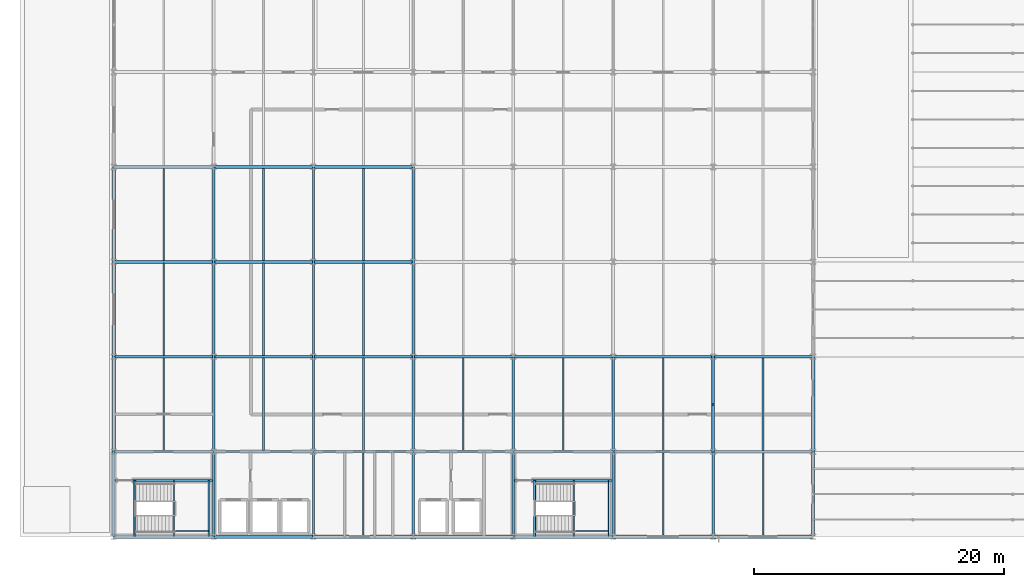
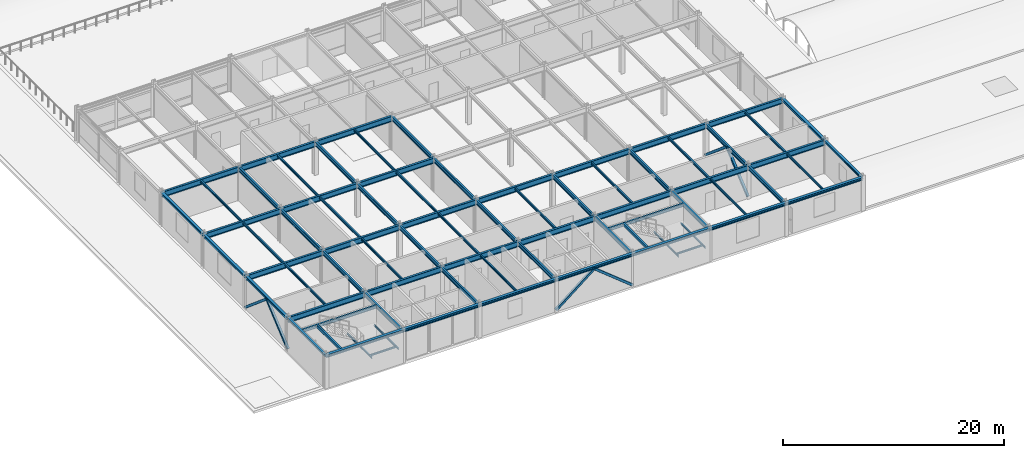
# One storey, part 3 of 46: 77 beams, 6 members.
"""IFC4 building model written with IfcOpenShell, lengths in metres."""

from ifc_helpers import new_model, si_unit, direction, frame, origin, origin_2d, place, context, subcontext, project, spatial, hollow_rectangle, i_section, extrude, material, material_profile, profile_set, type_object, element, save


model = new_model("IFC4")

# Units and contexts
model_context = context("Model", 3, precision=1e-05, world=origin(), true_north=direction((0.0, 1.0)))
body_context = subcontext(model_context, "Body", "Model", "MODEL_VIEW")
ifc_project = project(units=[si_unit("LENGTHUNIT", "METRE"), si_unit("AREAUNIT", "SQUARE_METRE"), si_unit("VOLUMEUNIT", "CUBIC_METRE"), si_unit("PLANEANGLEUNIT", "RADIAN"), si_unit("MASSUNIT", "GRAM", prefix="KILO")], contexts=[model_context])

# Site, building, storey
site_placement = place(None, origin())
site = spatial("IfcSite", under=ifc_project, at=site_placement, CompositionType="ELEMENT")
building_placement = place(site_placement, origin())
building = spatial("IfcBuilding", under=site, at=building_placement, Name="Shalkamar Park Central Library", CompositionType="ELEMENT")
storey_placement = place(building_placement, frame((0.0, 0.0, 20.39990234375)))
storey = spatial("IfcBuildingStorey", under=building, at=storey_placement, Name="L05", CompositionType="ELEMENT", Elevation=20.39990234375)

# Beams
ifc_material = material(Name="Steel S355", Category="steel")
ifc_material_profile_1 = material_profile(ifc_material, i_section(OverallWidth=0.10009765625, OverallDepth=0.199951171875, WebThickness=0.005615234375, FlangeThickness=0.008544921875, FilletRadius=0.011962890625, at=origin_2d()), Name="IPE 200")
ifc_profile_set_1 = profile_set([ifc_material_profile_1], Name="Steel S355")
beam_type_1 = type_object("IfcBeamType", Name="Composite Floor Joist IPE200", PredefinedType="JOIST", material=ifc_profile_set_1)
for number, where, z_axis, x_axis, name in (
    (1, (169.840087890625, 248.39990234375, 1.570068359375), (0.0, 1.0, 0.0), (-1.0, 0.0, 0.0), "Stair Half-Landing Beam ST-T1-L05-1"),
    (2, (172.6201171875, 248.39990234375, 1.570068359375), (0.0, 1.0, 0.0), (-1.0, 0.0, 0.0), "Stair Half-Landing Beam ST-T1-L05-2"),
):
    element("IfcBeam", number, at=place(storey_placement, frame(where, z_axis=z_axis, x_axis=x_axis)), inside=storey, type_object=beam_type_1, Name=name, PredefinedType="JOIST", context=body_context, shape_type="SweptSolid", body=[
        extrude(i_section(OverallWidth=0.10009765625, OverallDepth=0.199951171875, WebThickness=0.005615234375, FlangeThickness=0.008544921875, FilletRadius=0.011962890625, at=origin_2d()), origin(), (0.0, 0.0, 1.0), 4.5),
    ])
beam_1_placement = place(storey_placement, frame((169.840087890625, 248.85009765625, 1.570068359375), z_axis=(1.0, 0.0, 0.0), x_axis=(0.0, 1.0, 0.0)))
element("IfcBeam", 3, at=beam_1_placement, inside=storey, type_object=beam_type_1, Name="Stair Half-Landing Cross Tie ST-T1-L05-3", PredefinedType="JOIST", context=body_context, shape_type="SweptSolid", body=[
    extrude(i_section(OverallWidth=0.10009765625, OverallDepth=0.199951171875, WebThickness=0.005615234375, FlangeThickness=0.008544921875, FilletRadius=0.011962890625, at=origin_2d()), origin(), (0.0, 0.0, 1.0), 2.780029296875),
])
for number, where, z_axis, x_axis, name in (
    (4, (201.840087890625, 248.39990234375, 1.570068359375), (0.0, 1.0, 0.0), (-1.0, 0.0, 0.0), "Stair Half-Landing Beam ST-T2-L05-1"),
    (5, (204.6201171875, 248.39990234375, 1.570068359375), (0.0, 1.0, 0.0), (-1.0, 0.0, 0.0), "Stair Half-Landing Beam ST-T2-L05-2"),
):
    element("IfcBeam", number, at=place(storey_placement, frame(where, z_axis=z_axis, x_axis=x_axis)), inside=storey, type_object=beam_type_1, Name=name, PredefinedType="JOIST", context=body_context, shape_type="SweptSolid", body=[
        extrude(i_section(OverallWidth=0.10009765625, OverallDepth=0.199951171875, WebThickness=0.005615234375, FlangeThickness=0.008544921875, FilletRadius=0.011962890625, at=origin_2d()), origin(), (0.0, 0.0, 1.0), 4.5),
    ])
beam_2_placement = place(storey_placement, frame((201.840087890625, 248.85009765625, 1.570068359375), z_axis=(1.0, 0.0, 0.0), x_axis=(0.0, 1.0, 0.0)))
element("IfcBeam", 6, at=beam_2_placement, inside=storey, type_object=beam_type_1, Name="Stair Half-Landing Cross Tie ST-T2-L05-3", PredefinedType="JOIST", context=body_context, shape_type="SweptSolid", body=[
    extrude(i_section(OverallWidth=0.10009765625, OverallDepth=0.199951171875, WebThickness=0.005615234375, FlangeThickness=0.008544921875, FilletRadius=0.011962890625, at=origin_2d()), origin(), (0.0, 0.0, 1.0), 2.780029296875),
])
ifc_material_profile_2 = material_profile(ifc_material, i_section(OverallWidth=0.1201171875, OverallDepth=0.239990234375, WebThickness=0.006103515625, FlangeThickness=0.009765625, FilletRadius=0.014892578125, at=origin_2d()), Name="IPE 240")
ifc_profile_set_2 = profile_set([ifc_material_profile_2], Name="Steel S355")
beam_type_2 = type_object("IfcBeamType", Name="Composite Floor Joist IPE240", PredefinedType="JOIST", material=ifc_profile_set_2)
for number, where, z_axis, x_axis, name in (
    (7, (185.0, 248.548095703125, 3.5400390625), (0.0, 1.0, 0.0), (-1.0, 0.0, 0.0), "Composite Joist 09/B-1 (L05)"),
    (8, (209.0, 248.548095703125, 3.5400390625), (0.0, 1.0, 0.0), (-1.0, 0.0, 0.0), "Composite Joist 12/B-1 (L05)"),
    (9, (217.0, 248.548095703125, 3.5400390625), (0.0, 1.0, 0.0), (-1.0, 0.0, 0.0), "Composite Joist 13/B-1 (L05)"),
):
    element("IfcBeam", number, at=place(storey_placement, frame(where, z_axis=z_axis, x_axis=x_axis)), inside=storey, type_object=beam_type_2, Name=name, PredefinedType="JOIST", context=body_context, shape_type="SweptSolid", body=[
        extrude(i_section(OverallWidth=0.1201171875, OverallDepth=0.239990234375, WebThickness=0.006103515625, FlangeThickness=0.009765625, FilletRadius=0.014892578125, at=origin_2d()), origin(), (0.0, 0.0, 1.0), 6.5439453125),
    ])
ifc_material_profile_3 = material_profile(ifc_material, i_section(OverallWidth=0.135009765625, OverallDepth=0.27001953125, WebThickness=0.006591796875, FlangeThickness=0.01025390625, FilletRadius=0.014892578125, at=origin_2d()), Name="IPE 270")
ifc_profile_set_3 = profile_set([ifc_material_profile_3], Name="Steel S355")
beam_type_3 = type_object("IfcBeamType", Name="Composite Floor Joist IPE270", PredefinedType="JOIST", material=ifc_profile_set_3)
beam_3_placement = place(storey_placement, frame((169.0, 255.30810546875, 3.525146484375), z_axis=(0.0, 1.0, 0.0), x_axis=(-1.0, 0.0, 0.0)))
element("IfcBeam", 10, at=beam_3_placement, inside=storey, type_object=beam_type_3, Name="Composite Joist 07/C-1 (L05)", PredefinedType="JOIST", context=body_context, shape_type="SweptSolid", body=[
    extrude(i_section(OverallWidth=0.135009765625, OverallDepth=0.27001953125, WebThickness=0.006591796875, FlangeThickness=0.01025390625, FilletRadius=0.014892578125, at=origin_2d()), origin(), (0.0, 0.0, 1.0), 7.3837890625),
])
for number, where, z_axis, x_axis, name in (
    (11, (169.0, 262.907958984375, 3.525146484375), (0.0, 1.0, 0.0), (-1.0, 0.0, 0.0), "Composite Joist 07/D-1 (L05)"),
    (12, (169.0, 270.508056640625, 3.525146484375), (0.0, 1.0, 0.0), (-1.0, 0.0, 0.0), "Composite Joist 07/E-1 (L05)"),
):
    element("IfcBeam", number, at=place(storey_placement, frame(where, z_axis=z_axis, x_axis=x_axis)), inside=storey, type_object=beam_type_3, Name=name, PredefinedType="JOIST", context=body_context, shape_type="SweptSolid", body=[
        extrude(i_section(OverallWidth=0.135009765625, OverallDepth=0.27001953125, WebThickness=0.006591796875, FlangeThickness=0.01025390625, FilletRadius=0.014892578125, at=origin_2d()), origin(), (0.0, 0.0, 1.0), 7.384033203125),
    ])
beam_4_placement = place(storey_placement, frame((177.0, 255.30810546875, 3.525146484375), z_axis=(0.0, 1.0, 0.0), x_axis=(-1.0, 0.0, 0.0)))
element("IfcBeam", 13, at=beam_4_placement, inside=storey, type_object=beam_type_3, Name="Composite Joist 08/C-1 (L05)", PredefinedType="JOIST", context=body_context, shape_type="SweptSolid", body=[
    extrude(i_section(OverallWidth=0.135009765625, OverallDepth=0.27001953125, WebThickness=0.006591796875, FlangeThickness=0.01025390625, FilletRadius=0.014892578125, at=origin_2d()), origin(), (0.0, 0.0, 1.0), 7.3837890625),
])
for number, where, z_axis, x_axis, name in (
    (14, (177.0, 262.907958984375, 3.525146484375), (0.0, 1.0, 0.0), (-1.0, 0.0, 0.0), "Composite Joist 08/D-1 (L05)"),
    (15, (177.0, 270.508056640625, 3.525146484375), (0.0, 1.0, 0.0), (-1.0, 0.0, 0.0), "Composite Joist 08/E-1 (L05)"),
):
    element("IfcBeam", number, at=place(storey_placement, frame(where, z_axis=z_axis, x_axis=x_axis)), inside=storey, type_object=beam_type_3, Name=name, PredefinedType="JOIST", context=body_context, shape_type="SweptSolid", body=[
        extrude(i_section(OverallWidth=0.135009765625, OverallDepth=0.27001953125, WebThickness=0.006591796875, FlangeThickness=0.01025390625, FilletRadius=0.014892578125, at=origin_2d()), origin(), (0.0, 0.0, 1.0), 7.384033203125),
    ])
beam_5_placement = place(storey_placement, frame((185.0, 255.30810546875, 3.525146484375), z_axis=(0.0, 1.0, 0.0), x_axis=(-1.0, 0.0, 0.0)))
element("IfcBeam", 16, at=beam_5_placement, inside=storey, type_object=beam_type_3, Name="Composite Joist 09/C-1 (L05)", PredefinedType="JOIST", context=body_context, shape_type="SweptSolid", body=[
    extrude(i_section(OverallWidth=0.135009765625, OverallDepth=0.27001953125, WebThickness=0.006591796875, FlangeThickness=0.01025390625, FilletRadius=0.014892578125, at=origin_2d()), origin(), (0.0, 0.0, 1.0), 7.3837890625),
])
for number, where, z_axis, x_axis, name in (
    (17, (185.0, 262.907958984375, 3.525146484375), (0.0, 1.0, 0.0), (-1.0, 0.0, 0.0), "Composite Joist 09/D-1 (L05)"),
    (18, (185.0, 270.508056640625, 3.525146484375), (0.0, 1.0, 0.0), (-1.0, 0.0, 0.0), "Composite Joist 09/E-1 (L05)"),
):
    element("IfcBeam", number, at=place(storey_placement, frame(where, z_axis=z_axis, x_axis=x_axis)), inside=storey, type_object=beam_type_3, Name=name, PredefinedType="JOIST", context=body_context, shape_type="SweptSolid", body=[
        extrude(i_section(OverallWidth=0.135009765625, OverallDepth=0.27001953125, WebThickness=0.006591796875, FlangeThickness=0.01025390625, FilletRadius=0.014892578125, at=origin_2d()), origin(), (0.0, 0.0, 1.0), 7.384033203125),
    ])
for number, where, z_axis, x_axis, name in (
    (19, (193.0, 255.30810546875, 3.525146484375), (0.0, 1.0, 0.0), (-1.0, 0.0, 0.0), "Composite Joist 10/C-1 (L05)"),
    (20, (201.0, 255.30810546875, 3.525146484375), (0.0, 1.0, 0.0), (-1.0, 0.0, 0.0), "Composite Joist 11/C-1 (L05)"),
    (21, (209.0, 255.30810546875, 3.525146484375), (0.0, 1.0, 0.0), (-1.0, 0.0, 0.0), "Composite Joist 12/C-1 (L05)"),
    (22, (217.0, 255.30810546875, 3.525146484375), (0.0, 1.0, 0.0), (-1.0, 0.0, 0.0), "Composite Joist 13/C-1 (L05)"),
):
    element("IfcBeam", number, at=place(storey_placement, frame(where, z_axis=z_axis, x_axis=x_axis)), inside=storey, type_object=beam_type_3, Name=name, PredefinedType="JOIST", context=body_context, shape_type="SweptSolid", body=[
        extrude(i_section(OverallWidth=0.135009765625, OverallDepth=0.27001953125, WebThickness=0.006591796875, FlangeThickness=0.01025390625, FilletRadius=0.014892578125, at=origin_2d()), origin(), (0.0, 0.0, 1.0), 7.3837890625),
    ])

# Members
ifc_material_profile_4 = material_profile(ifc_material, hollow_rectangle(XDim=0.25, YDim=0.25, WallThickness=0.012451171875, InnerFilletRadius=0.012451171875, OuterFilletRadius=0.018798828125, at=origin_2d()), Name="SHS 250x250x12.5")
ifc_profile_set_4 = profile_set([ifc_material_profile_4], Name="Steel S355")
member_type = type_object("IfcMemberType", Name="Diagonal Brace SHS250", PredefinedType="BRACE", material=ifc_profile_set_4)
for number, where, z_axis, x_axis, name in (
    (23, (165.0, 255.199951171875, 0.150146484375), (0.0, 0.763927756814, 0.645301776202), (-1.0, 0.0, 0.0), "Chevron Brace TW-W Leg A (L05)"),
    (24, (165.0, 262.800048828125, 0.150146484375), (0.0, -0.763927756814, 0.645301776202), (1.0, 0.0, 0.0), "Chevron Brace TW-W Leg B (L05)"),
    (25, (213.0, 255.199951171875, 0.150146484375), (0.0, 0.763927756814, 0.645301776202), (-1.0, 0.0, 0.0), "Chevron Brace TW-E Leg A (L05)"),
    (26, (213.0, 262.800048828125, 0.150146484375), (0.0, -0.763927756814, 0.645301776202), (1.0, 0.0, 0.0), "Chevron Brace TW-E Leg B (L05)"),
):
    element("IfcMember", number, at=place(storey_placement, frame(where, z_axis=z_axis, x_axis=x_axis)), inside=storey, type_object=member_type, Name=name, PredefinedType="BRACE", context=body_context, shape_type="SweptSolid", body=[
        extrude(hollow_rectangle(XDim=0.25, YDim=0.25, WallThickness=0.012451171875, InnerFilletRadius=0.012451171875, OuterFilletRadius=0.018798828125, at=origin_2d()), origin(), (0.0, 0.0, 1.0), 4.974365234375),
    ])
for number, where, z_axis, x_axis, name in (
    (27, (189.0, 248.39990234375, 0.150146484375), (0.77992050418, 0.0, 0.625878588194), (0.0, 1.0, 0.0), "Chevron Brace TW-S Leg A (L05)"),
    (28, (197.0, 248.39990234375, 0.150146484375), (-0.77992050418, 0.0, 0.625878588194), (0.0, -1.0, 0.0), "Chevron Brace TW-S Leg B (L05)"),
):
    element("IfcMember", number, at=place(storey_placement, frame(where, z_axis=z_axis, x_axis=x_axis)), inside=storey, type_object=member_type, Name=name, PredefinedType="BRACE", context=body_context, shape_type="SweptSolid", body=[
        extrude(hollow_rectangle(XDim=0.25, YDim=0.25, WallThickness=0.012451171875, InnerFilletRadius=0.012451171875, OuterFilletRadius=0.018798828125, at=origin_2d()), origin(), (0.0, 0.0, 1.0), 5.128662109375),
    ])

# Beams
ifc_material_profile_5 = material_profile(ifc_material, i_section(OverallWidth=0.239990234375, OverallDepth=0.22998046875, WebThickness=0.007568359375, FlangeThickness=0.011962890625, FilletRadius=0.02099609375, at=origin_2d()), Name="HEA 240")
ifc_profile_set_5 = profile_set([ifc_material_profile_5], Name="Steel S355")
beam_type_4 = type_object("IfcBeamType", Name="Perimeter Spandrel Beam HEA240", PredefinedType="SPANDREL", material=ifc_profile_set_5)
for number, where, z_axis, x_axis, name in (
    (29, (165.0, 248.39990234375, 3.545166015625), (0.0, 1.0, 0.0), (-1.0, 0.0, 0.0), "Beam 07:B-C (L05)"),
    (30, (221.0, 248.39990234375, 3.545166015625), (0.0, 1.0, 0.0), (-1.0, 0.0, 0.0), "Beam 14:B-C (L05)"),
):
    element("IfcBeam", number, at=place(storey_placement, frame(where, z_axis=z_axis, x_axis=x_axis)), inside=storey, type_object=beam_type_4, Name=name, PredefinedType="SPANDREL", context=body_context, shape_type="SweptSolid", body=[
        extrude(i_section(OverallWidth=0.239990234375, OverallDepth=0.22998046875, WebThickness=0.007568359375, FlangeThickness=0.011962890625, FilletRadius=0.02099609375, at=origin_2d()), origin(), (0.0, 0.0, 1.0), 6.800048828125),
    ])
ifc_material_profile_6 = material_profile(ifc_material, i_section(OverallWidth=0.280029296875, OverallDepth=0.27001953125, WebThickness=0.008056640625, FlangeThickness=0.012939453125, FilletRadius=0.02392578125, at=origin_2d()), Name="HEA 280")
ifc_profile_set_6 = profile_set([ifc_material_profile_6], Name="Steel S355")
beam_type_5 = type_object("IfcBeamType", Name="Perimeter Spandrel Beam HEA280", PredefinedType="SPANDREL", material=ifc_profile_set_6)
beam_6_placement = place(storey_placement, frame((165.0, 255.199951171875, 3.525146484375), z_axis=(0.0, 1.0, 0.0), x_axis=(-1.0, 0.0, 0.0)))
element("IfcBeam", 31, at=beam_6_placement, inside=storey, type_object=beam_type_5, Name="Beam 07:C-D (L05)", PredefinedType="SPANDREL", context=body_context, shape_type="SweptSolid", body=[
    extrude(i_section(OverallWidth=0.280029296875, OverallDepth=0.27001953125, WebThickness=0.008056640625, FlangeThickness=0.012939453125, FilletRadius=0.02392578125, at=origin_2d()), origin(), (0.0, 0.0, 1.0), 7.60009765625),
])
beam_7_placement = place(storey_placement, frame((165.0, 262.800048828125, 3.525146484375), z_axis=(0.0, 1.0, 0.0), x_axis=(-1.0, 0.0, 0.0)))
element("IfcBeam", 32, at=beam_7_placement, inside=storey, type_object=beam_type_5, Name="Beam 07:D-E (L05)", PredefinedType="SPANDREL", context=body_context, shape_type="SweptSolid", body=[
    extrude(i_section(OverallWidth=0.280029296875, OverallDepth=0.27001953125, WebThickness=0.008056640625, FlangeThickness=0.012939453125, FilletRadius=0.02392578125, at=origin_2d()), origin(), (0.0, 0.0, 1.0), 7.599853515625),
])
for number, where, z_axis, x_axis, name in (
    (33, (165.0, 270.39990234375, 3.525146484375), (0.0, 1.0, 0.0), (-1.0, 0.0, 0.0), "Beam 07:E-F (L05)"),
    (34, (221.0, 255.199951171875, 3.525146484375), (0.0, 1.0, 0.0), (-1.0, 0.0, 0.0), "Beam 14:C-D (L05)"),
):
    element("IfcBeam", number, at=place(storey_placement, frame(where, z_axis=z_axis, x_axis=x_axis)), inside=storey, type_object=beam_type_5, Name=name, PredefinedType="SPANDREL", context=body_context, shape_type="SweptSolid", body=[
        extrude(i_section(OverallWidth=0.280029296875, OverallDepth=0.27001953125, WebThickness=0.008056640625, FlangeThickness=0.012939453125, FilletRadius=0.02392578125, at=origin_2d()), origin(), (0.0, 0.0, 1.0), 7.60009765625),
    ])
ifc_material_profile_7 = material_profile(ifc_material, i_section(OverallWidth=0.300048828125, OverallDepth=0.31005859375, WebThickness=0.009033203125, FlangeThickness=0.015380859375, FilletRadius=0.027099609375, at=origin_2d()), Name="HEA 320")
ifc_profile_set_7 = profile_set([ifc_material_profile_7], Name="Steel S355")
beam_type_6 = type_object("IfcBeamType", Name="Perimeter Spandrel Beam HEA320", PredefinedType="SPANDREL", material=ifc_profile_set_7)
for number, where, z_axis, x_axis, name in (
    (35, (165.0, 248.39990234375, 3.505126953125), (1.0, 0.0, 0.0), (0.0, 1.0, 0.0), "Beam B:07-08 (L05)"),
    (36, (173.0, 248.39990234375, 3.505126953125), (1.0, 0.0, 0.0), (0.0, 1.0, 0.0), "Beam B:08-09 (L05)"),
    (37, (181.0, 248.39990234375, 3.505126953125), (1.0, 0.0, 0.0), (0.0, 1.0, 0.0), "Beam B:09-10 (L05)"),
    (38, (189.0, 248.39990234375, 3.505126953125), (1.0, 0.0, 0.0), (0.0, 1.0, 0.0), "Beam B:10-11 (L05)"),
    (39, (197.0, 248.39990234375, 3.505126953125), (1.0, 0.0, 0.0), (0.0, 1.0, 0.0), "Beam B:11-12 (L05)"),
    (40, (205.0, 248.39990234375, 3.505126953125), (1.0, 0.0, 0.0), (0.0, 1.0, 0.0), "Beam B:12-13 (L05)"),
    (41, (213.0, 248.39990234375, 3.505126953125), (1.0, 0.0, 0.0), (0.0, 1.0, 0.0), "Beam B:13-14 (L05)"),
):
    element("IfcBeam", number, at=place(storey_placement, frame(where, z_axis=z_axis, x_axis=x_axis)), inside=storey, type_object=beam_type_6, Name=name, PredefinedType="SPANDREL", context=body_context, shape_type="SweptSolid", body=[
        extrude(i_section(OverallWidth=0.300048828125, OverallDepth=0.31005859375, WebThickness=0.009033203125, FlangeThickness=0.015380859375, FilletRadius=0.027099609375, at=origin_2d()), origin(), (0.0, 0.0, 1.0), 8.0),
    ])
ifc_material_profile_8 = material_profile(ifc_material, i_section(OverallWidth=0.169921875, OverallDepth=0.360107421875, WebThickness=0.008056640625, FlangeThickness=0.0126953125, FilletRadius=0.01806640625, at=origin_2d()), Name="IPE 360")
ifc_profile_set_8 = profile_set([ifc_material_profile_8], Name="Steel S355")
beam_type_7 = type_object("IfcBeamType", Name="Primary Girder IPE360", PredefinedType="BEAM", material=ifc_profile_set_8)
for number, where, z_axis, x_axis, name in (
    (42, (165.087890625, 252.89990234375, 3.47998046875), (1.0, 0.0, 0.0), (0.0, 1.0, 0.0), "CORE-T1 Stairwell Divider Beam (L05)"),
    (43, (197.087890625, 252.89990234375, 3.47998046875), (1.0, 0.0, 0.0), (0.0, 1.0, 0.0), "CORE-T2 Stairwell Divider Beam (L05)"),
):
    element("IfcBeam", number, at=place(storey_placement, frame(where, z_axis=z_axis, x_axis=x_axis)), inside=storey, type_object=beam_type_7, Name=name, PredefinedType="BEAM", context=body_context, shape_type="SweptSolid", body=[
        extrude(i_section(OverallWidth=0.169921875, OverallDepth=0.360107421875, WebThickness=0.008056640625, FlangeThickness=0.0126953125, FilletRadius=0.01806640625, at=origin_2d()), origin(), (0.0, 0.0, 1.0), 7.82421875),
    ])
ifc_material_profile_9 = material_profile(ifc_material, i_section(OverallWidth=0.18994140625, OverallDepth=0.449951171875, WebThickness=0.009521484375, FlangeThickness=0.0146484375, FilletRadius=0.02099609375, at=origin_2d()), Name="IPE 450")
ifc_profile_set_9 = profile_set([ifc_material_profile_9], Name="Steel S355")
beam_type_8 = type_object("IfcBeamType", Name="Primary Girder IPE450", PredefinedType="BEAM", material=ifc_profile_set_9)
beam_8_placement = place(storey_placement, frame((173.0, 248.39990234375, 3.43505859375), z_axis=(0.0, 1.0, 0.0), x_axis=(-1.0, 0.0, 0.0)))
element("IfcBeam", 44, at=beam_8_placement, inside=storey, type_object=beam_type_8, Name="Beam 08:B-C (L05)", PredefinedType="BEAM", context=body_context, shape_type="SweptSolid", body=[
    extrude(i_section(OverallWidth=0.18994140625, OverallDepth=0.449951171875, WebThickness=0.009521484375, FlangeThickness=0.0146484375, FilletRadius=0.02099609375, at=origin_2d()), origin(), (0.0, 0.0, 1.0), 6.800048828125),
])
beam_9_placement = place(storey_placement, frame((173.0, 255.199951171875, 3.43505859375), z_axis=(0.0, 1.0, 0.0), x_axis=(-1.0, 0.0, 0.0)))
element("IfcBeam", 45, at=beam_9_placement, inside=storey, type_object=beam_type_8, Name="Beam 08:C-D (L05)", PredefinedType="BEAM", context=body_context, shape_type="SweptSolid", body=[
    extrude(i_section(OverallWidth=0.18994140625, OverallDepth=0.449951171875, WebThickness=0.009521484375, FlangeThickness=0.0146484375, FilletRadius=0.02099609375, at=origin_2d()), origin(), (0.0, 0.0, 1.0), 7.60009765625),
])
beam_10_placement = place(storey_placement, frame((173.0, 262.800048828125, 3.43505859375), z_axis=(0.0, 1.0, 0.0), x_axis=(-1.0, 0.0, 0.0)))
element("IfcBeam", 46, at=beam_10_placement, inside=storey, type_object=beam_type_8, Name="Beam 08:D-E (L05)", PredefinedType="BEAM", context=body_context, shape_type="SweptSolid", body=[
    extrude(i_section(OverallWidth=0.18994140625, OverallDepth=0.449951171875, WebThickness=0.009521484375, FlangeThickness=0.0146484375, FilletRadius=0.02099609375, at=origin_2d()), origin(), (0.0, 0.0, 1.0), 7.599853515625),
])
beam_11_placement = place(storey_placement, frame((173.0, 270.39990234375, 3.43505859375), z_axis=(0.0, 1.0, 0.0), x_axis=(-1.0, 0.0, 0.0)))
element("IfcBeam", 47, at=beam_11_placement, inside=storey, type_object=beam_type_8, Name="Beam 08:E-F (L05)", PredefinedType="BEAM", context=body_context, shape_type="SweptSolid", body=[
    extrude(i_section(OverallWidth=0.18994140625, OverallDepth=0.449951171875, WebThickness=0.009521484375, FlangeThickness=0.0146484375, FilletRadius=0.02099609375, at=origin_2d()), origin(), (0.0, 0.0, 1.0), 7.60009765625),
])
beam_12_placement = place(storey_placement, frame((181.0, 248.39990234375, 3.43505859375), z_axis=(0.0, 1.0, 0.0), x_axis=(-1.0, 0.0, 0.0)))
element("IfcBeam", 48, at=beam_12_placement, inside=storey, type_object=beam_type_8, Name="Beam 09:B-C (L05)", PredefinedType="BEAM", context=body_context, shape_type="SweptSolid", body=[
    extrude(i_section(OverallWidth=0.18994140625, OverallDepth=0.449951171875, WebThickness=0.009521484375, FlangeThickness=0.0146484375, FilletRadius=0.02099609375, at=origin_2d()), origin(), (0.0, 0.0, 1.0), 6.800048828125),
])
beam_13_placement = place(storey_placement, frame((181.0, 255.199951171875, 3.43505859375), z_axis=(0.0, 1.0, 0.0), x_axis=(-1.0, 0.0, 0.0)))
element("IfcBeam", 49, at=beam_13_placement, inside=storey, type_object=beam_type_8, Name="Beam 09:C-D (L05)", PredefinedType="BEAM", context=body_context, shape_type="SweptSolid", body=[
    extrude(i_section(OverallWidth=0.18994140625, OverallDepth=0.449951171875, WebThickness=0.009521484375, FlangeThickness=0.0146484375, FilletRadius=0.02099609375, at=origin_2d()), origin(), (0.0, 0.0, 1.0), 7.60009765625),
])
beam_14_placement = place(storey_placement, frame((181.0, 262.800048828125, 3.43505859375), z_axis=(0.0, 1.0, 0.0), x_axis=(-1.0, 0.0, 0.0)))
element("IfcBeam", 50, at=beam_14_placement, inside=storey, type_object=beam_type_8, Name="Beam 09:D-E (L05)", PredefinedType="BEAM", context=body_context, shape_type="SweptSolid", body=[
    extrude(i_section(OverallWidth=0.18994140625, OverallDepth=0.449951171875, WebThickness=0.009521484375, FlangeThickness=0.0146484375, FilletRadius=0.02099609375, at=origin_2d()), origin(), (0.0, 0.0, 1.0), 7.599853515625),
])
beam_15_placement = place(storey_placement, frame((181.0, 270.39990234375, 3.43505859375), z_axis=(0.0, 1.0, 0.0), x_axis=(-1.0, 0.0, 0.0)))
element("IfcBeam", 51, at=beam_15_placement, inside=storey, type_object=beam_type_8, Name="Beam 09:E-F (L05)", PredefinedType="BEAM", context=body_context, shape_type="SweptSolid", body=[
    extrude(i_section(OverallWidth=0.18994140625, OverallDepth=0.449951171875, WebThickness=0.009521484375, FlangeThickness=0.0146484375, FilletRadius=0.02099609375, at=origin_2d()), origin(), (0.0, 0.0, 1.0), 7.60009765625),
])
beam_16_placement = place(storey_placement, frame((189.0, 248.39990234375, 3.43505859375), z_axis=(0.0, 1.0, 0.0), x_axis=(-1.0, 0.0, 0.0)))
element("IfcBeam", 52, at=beam_16_placement, inside=storey, type_object=beam_type_8, Name="Beam 10:B-C (L05)", PredefinedType="BEAM", context=body_context, shape_type="SweptSolid", body=[
    extrude(i_section(OverallWidth=0.18994140625, OverallDepth=0.449951171875, WebThickness=0.009521484375, FlangeThickness=0.0146484375, FilletRadius=0.02099609375, at=origin_2d()), origin(), (0.0, 0.0, 1.0), 6.800048828125),
])
beam_17_placement = place(storey_placement, frame((189.0, 255.199951171875, 3.43505859375), z_axis=(0.0, 1.0, 0.0), x_axis=(-1.0, 0.0, 0.0)))
element("IfcBeam", 53, at=beam_17_placement, inside=storey, type_object=beam_type_8, Name="Beam 10:C-D (L05)", PredefinedType="BEAM", context=body_context, shape_type="SweptSolid", body=[
    extrude(i_section(OverallWidth=0.18994140625, OverallDepth=0.449951171875, WebThickness=0.009521484375, FlangeThickness=0.0146484375, FilletRadius=0.02099609375, at=origin_2d()), origin(), (0.0, 0.0, 1.0), 7.60009765625),
])
beam_18_placement = place(storey_placement, frame((189.0, 262.800048828125, 3.43505859375), z_axis=(0.0, 1.0, 0.0), x_axis=(-1.0, 0.0, 0.0)))
element("IfcBeam", 54, at=beam_18_placement, inside=storey, type_object=beam_type_8, Name="Beam 10:D-E (L05)", PredefinedType="BEAM", context=body_context, shape_type="SweptSolid", body=[
    extrude(i_section(OverallWidth=0.18994140625, OverallDepth=0.449951171875, WebThickness=0.009521484375, FlangeThickness=0.0146484375, FilletRadius=0.02099609375, at=origin_2d()), origin(), (0.0, 0.0, 1.0), 7.599853515625),
])
beam_19_placement = place(storey_placement, frame((189.0, 270.39990234375, 3.43505859375), z_axis=(0.0, 1.0, 0.0), x_axis=(-1.0, 0.0, 0.0)))
element("IfcBeam", 55, at=beam_19_placement, inside=storey, type_object=beam_type_8, Name="Beam 10:E-F (L05)", PredefinedType="BEAM", context=body_context, shape_type="SweptSolid", body=[
    extrude(i_section(OverallWidth=0.18994140625, OverallDepth=0.449951171875, WebThickness=0.009521484375, FlangeThickness=0.0146484375, FilletRadius=0.02099609375, at=origin_2d()), origin(), (0.0, 0.0, 1.0), 7.60009765625),
])
beam_20_placement = place(storey_placement, frame((197.0, 248.39990234375, 3.43505859375), z_axis=(0.0, 1.0, 0.0), x_axis=(-1.0, 0.0, 0.0)))
element("IfcBeam", 56, at=beam_20_placement, inside=storey, type_object=beam_type_8, Name="Beam 11:B-C (L05)", PredefinedType="BEAM", context=body_context, shape_type="SweptSolid", body=[
    extrude(i_section(OverallWidth=0.18994140625, OverallDepth=0.449951171875, WebThickness=0.009521484375, FlangeThickness=0.0146484375, FilletRadius=0.02099609375, at=origin_2d()), origin(), (0.0, 0.0, 1.0), 6.800048828125),
])
beam_21_placement = place(storey_placement, frame((197.0, 255.199951171875, 3.43505859375), z_axis=(0.0, 1.0, 0.0), x_axis=(-1.0, 0.0, 0.0)))
element("IfcBeam", 57, at=beam_21_placement, inside=storey, type_object=beam_type_8, Name="Beam 11:C-D (L05)", PredefinedType="BEAM", context=body_context, shape_type="SweptSolid", body=[
    extrude(i_section(OverallWidth=0.18994140625, OverallDepth=0.449951171875, WebThickness=0.009521484375, FlangeThickness=0.0146484375, FilletRadius=0.02099609375, at=origin_2d()), origin(), (0.0, 0.0, 1.0), 7.60009765625),
])
beam_22_placement = place(storey_placement, frame((205.0, 248.39990234375, 3.43505859375), z_axis=(0.0, 1.0, 0.0), x_axis=(-1.0, 0.0, 0.0)))
element("IfcBeam", 58, at=beam_22_placement, inside=storey, type_object=beam_type_8, Name="Beam 12:B-C (L05)", PredefinedType="BEAM", context=body_context, shape_type="SweptSolid", body=[
    extrude(i_section(OverallWidth=0.18994140625, OverallDepth=0.449951171875, WebThickness=0.009521484375, FlangeThickness=0.0146484375, FilletRadius=0.02099609375, at=origin_2d()), origin(), (0.0, 0.0, 1.0), 6.800048828125),
])
beam_23_placement = place(storey_placement, frame((205.0, 255.199951171875, 3.43505859375), z_axis=(0.0, 1.0, 0.0), x_axis=(-1.0, 0.0, 0.0)))
element("IfcBeam", 59, at=beam_23_placement, inside=storey, type_object=beam_type_8, Name="Beam 12:C-D (L05)", PredefinedType="BEAM", context=body_context, shape_type="SweptSolid", body=[
    extrude(i_section(OverallWidth=0.18994140625, OverallDepth=0.449951171875, WebThickness=0.009521484375, FlangeThickness=0.0146484375, FilletRadius=0.02099609375, at=origin_2d()), origin(), (0.0, 0.0, 1.0), 7.60009765625),
])
beam_24_placement = place(storey_placement, frame((213.0, 248.39990234375, 3.43505859375), z_axis=(0.0, 1.0, 0.0), x_axis=(-1.0, 0.0, 0.0)))
element("IfcBeam", 60, at=beam_24_placement, inside=storey, type_object=beam_type_8, Name="Beam 13:B-C (L05)", PredefinedType="BEAM", context=body_context, shape_type="SweptSolid", body=[
    extrude(i_section(OverallWidth=0.18994140625, OverallDepth=0.449951171875, WebThickness=0.009521484375, FlangeThickness=0.0146484375, FilletRadius=0.02099609375, at=origin_2d()), origin(), (0.0, 0.0, 1.0), 6.800048828125),
])
beam_25_placement = place(storey_placement, frame((213.0, 255.199951171875, 3.43505859375), z_axis=(0.0, 1.0, 0.0), x_axis=(-1.0, 0.0, 0.0)))
element("IfcBeam", 61, at=beam_25_placement, inside=storey, type_object=beam_type_8, Name="Beam 13:C-D (L05)", PredefinedType="BEAM", context=body_context, shape_type="SweptSolid", body=[
    extrude(i_section(OverallWidth=0.18994140625, OverallDepth=0.449951171875, WebThickness=0.009521484375, FlangeThickness=0.0146484375, FilletRadius=0.02099609375, at=origin_2d()), origin(), (0.0, 0.0, 1.0), 7.60009765625),
])
ifc_material_profile_10 = material_profile(ifc_material, i_section(OverallWidth=0.219970703125, OverallDepth=0.60009765625, WebThickness=0.011962890625, FlangeThickness=0.01904296875, FilletRadius=0.02392578125, at=origin_2d()), Name="IPE 600")
ifc_profile_set_10 = profile_set([ifc_material_profile_10], Name="Steel S355")
beam_type_9 = type_object("IfcBeamType", Name="Primary Girder IPE600", PredefinedType="BEAM", material=ifc_profile_set_10)
for number, where, z_axis, x_axis, name in (
    (62, (165.0, 255.199951171875, 3.360107421875), (1.0, 0.0, 0.0), (0.0, 1.0, 0.0), "Beam C:07-08 (L05)"),
    (63, (173.0, 255.199951171875, 3.360107421875), (1.0, 0.0, 0.0), (0.0, 1.0, 0.0), "Beam C:08-09 (L05)"),
    (64, (181.0, 255.199951171875, 3.360107421875), (1.0, 0.0, 0.0), (0.0, 1.0, 0.0), "Beam C:09-10 (L05)"),
    (65, (189.0, 255.199951171875, 3.360107421875), (1.0, 0.0, 0.0), (0.0, 1.0, 0.0), "Beam C:10-11 (L05)"),
    (66, (197.0, 255.199951171875, 3.360107421875), (1.0, 0.0, 0.0), (0.0, 1.0, 0.0), "Beam C:11-12 (L05)"),
    (67, (205.0, 255.199951171875, 3.360107421875), (1.0, 0.0, 0.0), (0.0, 1.0, 0.0), "Beam C:12-13 (L05)"),
    (68, (213.0, 255.199951171875, 3.360107421875), (1.0, 0.0, 0.0), (0.0, 1.0, 0.0), "Beam C:13-14 (L05)"),
    (69, (165.0, 262.800048828125, 3.360107421875), (1.0, 0.0, 0.0), (0.0, 1.0, 0.0), "Beam D:07-08 (L05)"),
    (70, (173.0, 262.800048828125, 3.360107421875), (1.0, 0.0, 0.0), (0.0, 1.0, 0.0), "Beam D:08-09 (L05)"),
    (71, (181.0, 262.800048828125, 3.360107421875), (1.0, 0.0, 0.0), (0.0, 1.0, 0.0), "Beam D:09-10 (L05)"),
    (72, (189.0, 262.800048828125, 3.360107421875), (1.0, 0.0, 0.0), (0.0, 1.0, 0.0), "Beam D:10-11 (L05)"),
    (73, (197.0, 262.800048828125, 3.360107421875), (1.0, 0.0, 0.0), (0.0, 1.0, 0.0), "Beam D:11-12 (L05)"),
    (74, (205.0, 262.800048828125, 3.360107421875), (1.0, 0.0, 0.0), (0.0, 1.0, 0.0), "Beam D:12-13 (L05)"),
    (75, (213.0, 262.800048828125, 3.360107421875), (1.0, 0.0, 0.0), (0.0, 1.0, 0.0), "Beam D:13-14 (L05)"),
    (76, (165.0, 270.39990234375, 3.360107421875), (1.0, 0.0, 0.0), (0.0, 1.0, 0.0), "Beam E:07-08 (L05)"),
    (77, (173.0, 270.39990234375, 3.360107421875), (1.0, 0.0, 0.0), (0.0, 1.0, 0.0), "Beam E:08-09 (L05)"),
    (78, (181.0, 270.39990234375, 3.360107421875), (1.0, 0.0, 0.0), (0.0, 1.0, 0.0), "Beam E:09-10 (L05)"),
    (79, (165.0, 278.0, 3.360107421875), (1.0, 0.0, 0.0), (0.0, 1.0, 0.0), "Beam F:07-08 (L05)"),
    (80, (173.0, 278.0, 3.360107421875), (1.0, 0.0, 0.0), (0.0, 1.0, 0.0), "Beam F:08-09 (L05)"),
    (81, (181.0, 278.0, 3.360107421875), (1.0, 0.0, 0.0), (0.0, 1.0, 0.0), "Beam F:09-10 (L05)"),
):
    element("IfcBeam", number, at=place(storey_placement, frame(where, z_axis=z_axis, x_axis=x_axis)), inside=storey, type_object=beam_type_9, Name=name, PredefinedType="BEAM", context=body_context, shape_type="SweptSolid", body=[
        extrude(i_section(OverallWidth=0.219970703125, OverallDepth=0.60009765625, WebThickness=0.011962890625, FlangeThickness=0.01904296875, FilletRadius=0.02392578125, at=origin_2d()), origin(), (0.0, 0.0, 1.0), 8.0),
    ])
ifc_material_profile_11 = material_profile(ifc_material, hollow_rectangle(XDim=0.199951171875, YDim=0.300048828125, WallThickness=0.011962890625, InnerFilletRadius=0.011962890625, OuterFilletRadius=0.01806640625, at=origin_2d()), Name="RHS 300x200x12")
ifc_profile_set_11 = profile_set([ifc_material_profile_11], Name="Steel S355")
beam_type_10 = type_object("IfcBeamType", Name="Stair Trimmer Box RHS300x200", PredefinedType="BEAM", material=ifc_profile_set_11)
for number, where, z_axis, x_axis, name in (
    (82, (166.699951171875, 248.39990234375, 3.510009765625), (0.0, 1.0, 0.0), (-1.0, 0.0, 0.0), "Stair Arrival Trimmer Girder ST-T1-L05"),
    (83, (198.699951171875, 248.39990234375, 3.510009765625), (0.0, 1.0, 0.0), (-1.0, 0.0, 0.0), "Stair Arrival Trimmer Girder ST-T2-L05"),
):
    element("IfcBeam", number, at=place(storey_placement, frame(where, z_axis=z_axis, x_axis=x_axis)), inside=storey, type_object=beam_type_10, Name=name, PredefinedType="BEAM", context=body_context, shape_type="SweptSolid", body=[
        extrude(hollow_rectangle(XDim=0.199951171875, YDim=0.300048828125, WallThickness=0.011962890625, InnerFilletRadius=0.011962890625, OuterFilletRadius=0.01806640625, at=origin_2d()), origin(), (0.0, 0.0, 1.0), 4.5),
    ])

save(model, "model.ifc")
